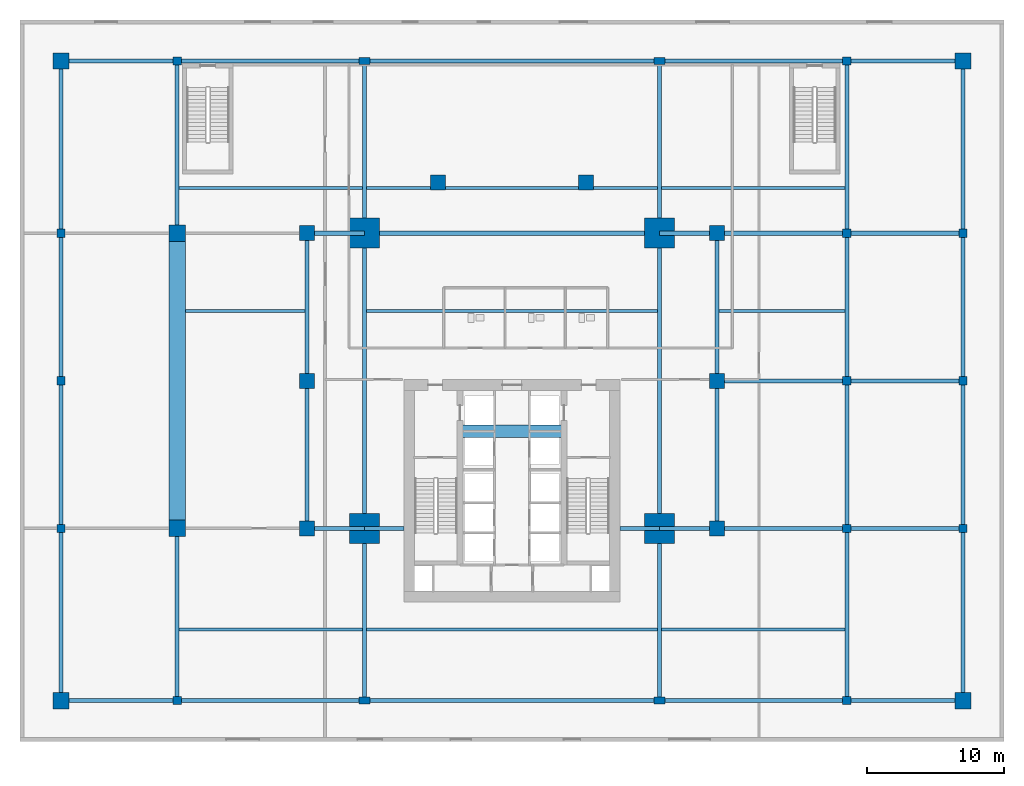
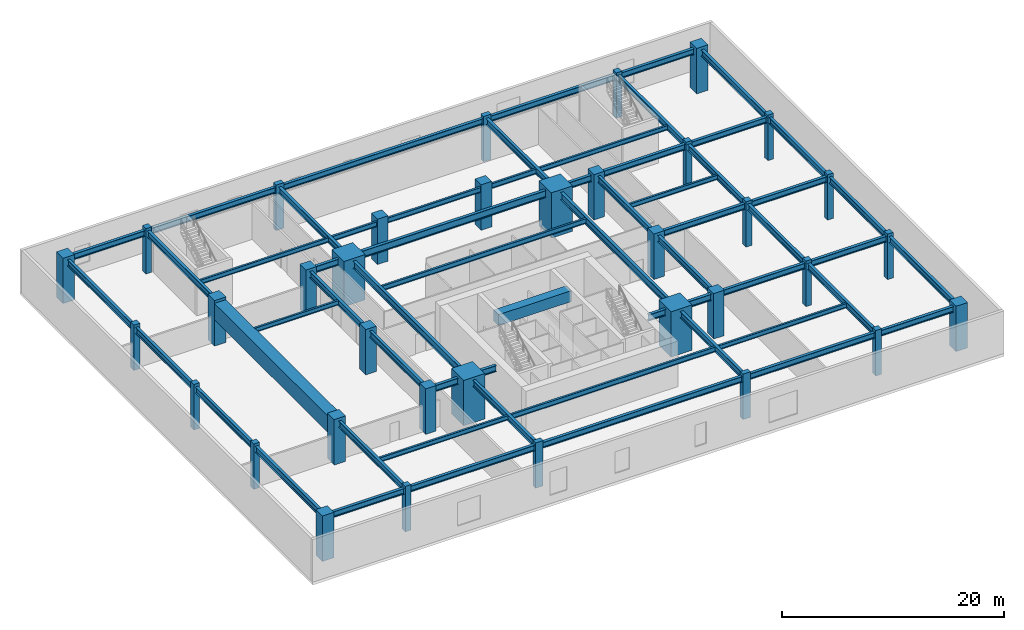
# One storey, part 1 of 10: 58 beams, 35 columns.
"""IFC4 building model written with IfcOpenShell, lengths in metres."""

from ifc_helpers import new_model, si_unit, direction, frame, origin, origin_2d, place, context, subcontext, project, spatial, rectangle, i_section, extrude, source, transform, mapped, material, material_profile, profile_set, type_object, type_shapes, element, save


model = new_model("IFC4")

# Units and contexts
model_context = context("Model", 3, precision=1e-05, world=origin(), true_north=direction((0.0, 1.0)))
body_context = subcontext(model_context, "Body", "Model", "MODEL_VIEW")
ifc_project = project(units=[si_unit("LENGTHUNIT", "METRE"), si_unit("AREAUNIT", "SQUARE_METRE"), si_unit("VOLUMEUNIT", "CUBIC_METRE"), si_unit("PLANEANGLEUNIT", "RADIAN"), si_unit("MASSUNIT", "GRAM", prefix="KILO")], contexts=[model_context])

# Site, building, storey
site_placement = place(None, origin())
site = spatial("IfcSite", under=ifc_project, at=site_placement, CompositionType="ELEMENT")
building_placement = place(site_placement, origin())
building = spatial("IfcBuilding", under=site, at=building_placement, Name="Krantzveldt Concourse Tower", CompositionType="ELEMENT")
storey_placement = place(building_placement, frame((0.0, 0.0, 5.39990234375)))
storey = spatial("IfcBuildingStorey", under=building, at=storey_placement, Name="L01", CompositionType="ELEMENT", Elevation=5.39990234375)

# Columns
ifc_material_1 = material(Name="Concrete C60/75", Category="concrete")
ifc_material_profile_1 = material_profile(ifc_material_1, rectangle(XDim=2.199951171875, YDim=2.199951171875, at=origin_2d()), Name="Concrete C60/75", Category="concrete")
ifc_profile_set_1 = profile_set([ifc_material_profile_1], Name="Concrete C60/75 - RC 2200x2200")
column_type_1 = type_object("IfcColumnType", Name="COL-MC-2200", PredefinedType="USERDEFINED", material=ifc_profile_set_1)
shared_shape_1 = source(origin(), body_context, "Body", "SweptSolid", [
    extrude(rectangle(XDim=2.199951171875, YDim=2.199951171875, at=origin_2d()), origin(), (0.0, 0.0, 1.0), 5.0),
])
type_shapes(column_type_1, [shared_shape_1])
for number, where, z_axis, x_axis, name in (
    (1, (25.199951171875, 15.89990234375, 0.0), (0.0, 0.0, 1.0), (1.0, 0.0, 0.0), "MC-SW-L01"),
    (2, (46.800048828125, 15.89990234375, 0.0), (0.0, 0.0, 1.0), (1.0, 0.0, 0.0), "MC-SE-L01"),
    (3, (46.800048828125, 37.5, 0.0), (0.0, 0.0, 1.0), (1.0, 0.0, 0.0), "MC-NE-L01"),
    (4, (25.199951171875, 37.5, 0.0), (0.0, 0.0, 1.0), (1.0, 0.0, 0.0), "MC-NW-L01"),
):
    element("IfcColumn", number, at=place(storey_placement, frame(where, z_axis=z_axis, x_axis=x_axis)), inside=storey, type_object=column_type_1, Name=name, ObjectType="MEGA COLUMN", PredefinedType="USERDEFINED", context=body_context, shape_type="MappedRepresentation", body=[
        mapped(shared_shape_1, transform((0.0, 0.0, 0.0), x_axis=(1.0, 0.0, 0.0), y_axis=(0.0, 1.0, 0.0), z_axis=(0.0, 0.0, 1.0), scale=1.0)),
    ])
ifc_material_profile_2 = material_profile(ifc_material_1, rectangle(XDim=1.10009765625, YDim=1.10009765625, at=origin_2d()), Name="Concrete C60/75", Category="concrete")
ifc_profile_set_2 = profile_set([ifc_material_profile_2], Name="Concrete C60/75 - RC 1100x1100")
column_type_2 = type_object("IfcColumnType", Name="COL-C-Z1", PredefinedType="COLUMN", material=ifc_profile_set_2)
shared_shape_2 = source(origin(), body_context, "Body", "SweptSolid", [
    extrude(rectangle(XDim=1.10009765625, YDim=1.10009765625, at=origin_2d()), origin(), (0.0, 0.0, 1.0), 5.0),
])
type_shapes(column_type_2, [shared_shape_2])
for number, where, z_axis, x_axis, name in (
    (5, (21.0, 15.89990234375, 0.0), (0.0, 0.0, 1.0), (1.0, 0.0, 0.0), "PC-R01-L01"),
    (6, (21.0, 26.699951171875, 0.0), (0.0, 0.0, 1.0), (1.0, 0.0, 0.0), "PC-R02-L01"),
    (7, (21.0, 37.5, 0.0), (0.0, 0.0, 1.0), (1.0, 0.0, 0.0), "PC-R03-L01"),
    (8, (30.60009765625, 41.199951171875, 0.0), (0.0, 0.0, 1.0), (1.0, 0.0, 0.0), "PC-R04-L01"),
    (9, (41.39990234375, 41.199951171875, 0.0), (0.0, 0.0, 1.0), (1.0, 0.0, 0.0), "PC-R05-L01"),
    (10, (51.0, 37.5, 0.0), (0.0, 0.0, 1.0), (1.0, 0.0, 0.0), "PC-R06-L01"),
    (11, (51.0, 26.699951171875, 0.0), (0.0, 0.0, 1.0), (1.0, 0.0, 0.0), "PC-R07-L01"),
    (12, (51.0, 15.89990234375, 0.0), (0.0, 0.0, 1.0), (1.0, 0.0, 0.0), "PC-R08-L01"),
):
    element("IfcColumn", number, at=place(storey_placement, frame(where, z_axis=z_axis, x_axis=x_axis)), inside=storey, type_object=column_type_2, Name=name, PredefinedType="COLUMN", context=body_context, shape_type="MappedRepresentation", body=[
        mapped(shared_shape_2, transform((0.0, 0.0, 0.0), x_axis=(1.0, 0.0, 0.0), y_axis=(0.0, 1.0, 0.0), z_axis=(0.0, 0.0, 1.0), scale=1.0)),
    ])
ifc_material_2 = material(Name="Concrete C40/50", Category="concrete")
ifc_material_profile_3 = material_profile(ifc_material_2, rectangle(XDim=0.60009765625, YDim=0.60009765625, at=origin_2d()), Name="Concrete C40/50", Category="concrete")
ifc_profile_set_3 = profile_set([ifc_material_profile_3], Name="Concrete C40/50 - RC 600x600")
column_type_3 = type_object("IfcColumnType", Name="COL-C-POD", PredefinedType="COLUMN", material=ifc_profile_set_3)
shared_shape_3 = source(origin(), body_context, "Body", "SweptSolid", [
    extrude(rectangle(XDim=0.60009765625, YDim=0.60009765625, at=origin_2d()), origin(), (0.0, 0.0, 1.0), 5.0),
])
type_shapes(column_type_3, [shared_shape_3])
for number, where, z_axis, x_axis, name in (
    (13, (3.0, 15.89990234375, 0.0), (0.0, 0.0, 1.0), (1.0, 0.0, 0.0), "PC-W1-L01"),
    (14, (3.0, 26.699951171875, 0.0), (0.0, 0.0, 1.0), (1.0, 0.0, 0.0), "PC-W2-L01"),
    (15, (3.0, 37.5, 0.0), (0.0, 0.0, 1.0), (1.0, 0.0, 0.0), "PC-W3-L01"),
    (16, (69.0, 15.89990234375, 0.0), (0.0, 0.0, 1.0), (1.0, 0.0, 0.0), "PC-E1-L01"),
    (17, (69.0, 26.699951171875, 0.0), (0.0, 0.0, 1.0), (1.0, 0.0, 0.0), "PC-E2-L01"),
    (18, (69.0, 37.5, 0.0), (0.0, 0.0, 1.0), (1.0, 0.0, 0.0), "PC-E3-L01"),
    (19, (11.5, 50.10009765625, 0.0), (0.0, 0.0, 1.0), (1.0, 0.0, 0.0), "PC-IW4-L01"),
    (20, (11.5, 3.300048828125, 0.0), (0.0, 0.0, 1.0), (1.0, 0.0, 0.0), "PC-IWS-L01"),
    (21, (60.5, 15.89990234375, 0.0), (0.0, 0.0, 1.0), (1.0, 0.0, 0.0), "PC-IE1-L01"),
    (22, (60.5, 26.699951171875, 0.0), (0.0, 0.0, 1.0), (1.0, 0.0, 0.0), "PC-IE2-L01"),
    (23, (60.5, 37.5, 0.0), (0.0, 0.0, 1.0), (1.0, 0.0, 0.0), "PC-IE3-L01"),
    (24, (60.5, 50.10009765625, 0.0), (0.0, 0.0, 1.0), (1.0, 0.0, 0.0), "PC-IE4-L01"),
    (25, (60.5, 3.300048828125, 0.0), (0.0, 0.0, 1.0), (1.0, 0.0, 0.0), "PC-IES-L01"),
):
    element("IfcColumn", number, at=place(storey_placement, frame(where, z_axis=z_axis, x_axis=x_axis)), inside=storey, type_object=column_type_3, Name=name, PredefinedType="COLUMN", context=body_context, shape_type="MappedRepresentation", body=[
        mapped(shared_shape_3, transform((0.0, 0.0, 0.0), x_axis=(1.0, 0.0, 0.0), y_axis=(0.0, 1.0, 0.0), z_axis=(0.0, 0.0, 1.0), scale=1.0)),
    ])
ifc_material_3 = material(Name="Concrete C50/60", Category="concrete")
ifc_material_profile_4 = material_profile(ifc_material_3, rectangle(XDim=1.199951171875, YDim=1.199951171875, at=origin_2d()), Name="Concrete C50/60", Category="concrete")
ifc_profile_set_4 = profile_set([ifc_material_profile_4], Name="Concrete C50/60 - RC 1200x1200")
column_type_4 = type_object("IfcColumnType", Name="COL-MC-1200", PredefinedType="USERDEFINED", material=ifc_profile_set_4)
shared_shape_4 = source(origin(), body_context, "Body", "SweptSolid", [
    extrude(rectangle(XDim=1.199951171875, YDim=1.199951171875, at=origin_2d()), origin(), (0.0, 0.0, 1.0), 5.0),
])
type_shapes(column_type_4, [shared_shape_4])
for number, where, z_axis, x_axis, name in (
    (26, (3.0, 3.300048828125, 0.0), (0.0, 0.0, 1.0), (1.0, 0.0, 0.0), "PC-SW-L01"),
    (27, (69.0, 3.300048828125, 0.0), (0.0, 0.0, 1.0), (1.0, 0.0, 0.0), "PC-SE-L01"),
    (28, (69.0, 50.10009765625, 0.0), (0.0, 0.0, 1.0), (1.0, 0.0, 0.0), "PC-NE-L01"),
    (29, (3.0, 50.10009765625, 0.0), (0.0, 0.0, 1.0), (1.0, 0.0, 0.0), "PC-NW-L01"),
    (30, (11.5, 15.89990234375, 0.0), (0.0, 0.0, 1.0), (1.0, 0.0, 0.0), "PC-IW1-L01"),
    (31, (11.5, 37.5, 0.0), (0.0, 0.0, 1.0), (1.0, 0.0, 0.0), "PC-IW3-L01"),
):
    element("IfcColumn", number, at=place(storey_placement, frame(where, z_axis=z_axis, x_axis=x_axis)), inside=storey, type_object=column_type_4, Name=name, ObjectType="MEGA COLUMN", PredefinedType="USERDEFINED", context=body_context, shape_type="MappedRepresentation", body=[
        mapped(shared_shape_4, transform((0.0, 0.0, 0.0), x_axis=(1.0, 0.0, 0.0), y_axis=(0.0, 1.0, 0.0), z_axis=(0.0, 0.0, 1.0), scale=1.0)),
    ])
ifc_material_profile_5 = material_profile(ifc_material_3, rectangle(XDim=0.800048828125, YDim=0.5, at=origin_2d()), Name="Concrete C50/60", Category="concrete")
ifc_profile_set_5 = profile_set([ifc_material_profile_5], Name="Concrete C50/60 - RC-PIL 800x500")
column_type_5 = type_object("IfcColumnType", Name="COL-PIL-800", PredefinedType="PILASTER", material=ifc_profile_set_5)
shared_shape_5 = source(origin(), body_context, "Body", "SweptSolid", [
    extrude(rectangle(XDim=0.800048828125, YDim=0.5, at=origin_2d()), origin(), (0.0, 0.0, 1.0), 5.0),
])
type_shapes(column_type_5, [shared_shape_5])
for number, where, z_axis, x_axis, name in (
    (32, (25.199951171875, 3.300048828125, 0.0), (0.0, 0.0, 1.0), (1.0, 0.0, 0.0), "PC-PIL1-L01"),
    (33, (46.800048828125, 3.300048828125, 0.0), (0.0, 0.0, 1.0), (1.0, 0.0, 0.0), "PC-PIL2-L01"),
    (34, (25.199951171875, 50.10009765625, 0.0), (0.0, 0.0, 1.0), (1.0, 0.0, 0.0), "PC-PIL3-L01"),
    (35, (46.800048828125, 50.10009765625, 0.0), (0.0, 0.0, 1.0), (1.0, 0.0, 0.0), "PC-PIL4-L01"),
):
    element("IfcColumn", number, at=place(storey_placement, frame(where, z_axis=z_axis, x_axis=x_axis)), inside=storey, type_object=column_type_5, Name=name, PredefinedType="PILASTER", context=body_context, shape_type="MappedRepresentation", body=[
        mapped(shared_shape_5, transform((0.0, 0.0, 0.0), x_axis=(1.0, 0.0, 0.0), y_axis=(0.0, 1.0, 0.0), z_axis=(0.0, 0.0, 1.0), scale=1.0)),
    ])

# Beams
ifc_material_profile_6 = material_profile(ifc_material_3, rectangle(XDim=0.89990234375, YDim=1.199951171875, at=origin_2d()), Name="Concrete C50/60", Category="concrete")
ifc_profile_set_6 = profile_set([ifc_material_profile_6], Name="Concrete C50/60 - RC-CB 900x1200")
beam_type_1 = type_object("IfcBeamType", Name="BM-CB-1200", PredefinedType="LINTEL", material=ifc_profile_set_6)
shared_shape_6 = source(origin(), body_context, "Body", "SweptSolid", [
    extrude(rectangle(XDim=0.89990234375, YDim=1.199951171875, at=origin_2d()), origin(), (0.0, 0.0, 1.0), 7.580078125),
])
type_shapes(beam_type_1, [shared_shape_6])
beam_1_placement = place(storey_placement, frame((32.2099609375, 23.0, 4.10009765625), z_axis=(1.0, 0.0, 0.0), x_axis=(0.0, 1.0, 0.0)))
element("IfcBeam", 36, at=beam_1_placement, inside=storey, type_object=beam_type_1, Name="CB-L01-01", PredefinedType="LINTEL", context=body_context, shape_type="MappedRepresentation", body=[
    mapped(shared_shape_6, transform((0.0, 0.0, 0.0), x_axis=(1.0, 0.0, 0.0), y_axis=(0.0, 1.0, 0.0), z_axis=(0.0, 0.0, 1.0), scale=1.0)),
])
ifc_material_4 = material(Name="Steel S355J2", Category="steel")
ifc_material_profile_7 = material_profile(ifc_material_4, i_section(OverallWidth=0.300048828125, OverallDepth=0.800048828125, WebThickness=0.017578125, FlangeThickness=0.032958984375, FilletRadius=0.030029296875, at=origin_2d()), Name="Steel S355J2", Category="steel")
ifc_profile_set_7 = profile_set([ifc_material_profile_7], Name="Steel S355J2 - HEB 800")
beam_type_2 = type_object("IfcBeamType", Name="BM-B-HEB800", PredefinedType="BEAM", material=ifc_profile_set_7)
shared_shape_7 = source(origin(), body_context, "Body", "SweptSolid", [
    extrude(i_section(OverallWidth=0.300048828125, OverallDepth=0.800048828125, WebThickness=0.017578125, FlangeThickness=0.032958984375, FilletRadius=0.030029296875, at=origin_2d()), origin(), (0.0, 0.0, 1.0), 21.60009765625),
])
type_shapes(beam_type_2, [shared_shape_7])
for number, where, z_axis, x_axis, name in (
    (37, (25.199951171875, 37.5, 4.300048828125), (1.0, 0.0, 0.0), (0.0, 1.0, 0.0), "L01 Podium Primary Girder BG-MN"),
    (38, (25.199951171875, 15.89990234375, 4.300048828125), (0.0, 1.0, 0.0), (-1.0, 0.0, 0.0), "L01 Podium Primary Girder BG-MW"),
    (39, (46.800048828125, 15.89990234375, 4.300048828125), (0.0, 1.0, 0.0), (-1.0, 0.0, 0.0), "L01 Podium Primary Girder BG-ME"),
):
    element("IfcBeam", number, at=place(storey_placement, frame(where, z_axis=z_axis, x_axis=x_axis)), inside=storey, type_object=beam_type_2, Name=name, PredefinedType="BEAM", context=body_context, shape_type="MappedRepresentation", body=[
        mapped(shared_shape_7, transform((0.0, 0.0, 0.0), x_axis=(1.0, 0.0, 0.0), y_axis=(0.0, 1.0, 0.0), z_axis=(0.0, 0.0, 1.0), scale=1.0)),
    ])
ifc_material_5 = material(Name="Steel S355JR", Category="steel")
ifc_material_profile_8 = material_profile(ifc_material_5, i_section(OverallWidth=0.300048828125, OverallDepth=0.68994140625, WebThickness=0.014404296875, FlangeThickness=0.027099609375, FilletRadius=0.027099609375, at=origin_2d()), Name="Steel S355JR", Category="steel")
ifc_profile_set_8 = profile_set([ifc_material_profile_8], Name="Steel S355JR - HEA 700")
beam_type_3 = type_object("IfcBeamType", Name="BM-B-HEA700", PredefinedType="BEAM", material=ifc_profile_set_8)
shared_shape_8 = source(origin(), body_context, "Body", "SweptSolid", [
    extrude(i_section(OverallWidth=0.300048828125, OverallDepth=0.68994140625, WebThickness=0.014404296875, FlangeThickness=0.027099609375, FilletRadius=0.027099609375, at=origin_2d()), origin(), (0.0, 0.0, 1.0), 10.800048828125),
])
for number, where, z_axis, x_axis, name in (
    (40, (21.0, 15.89990234375, 4.35498046875), (0.0, 1.0, 0.0), (-1.0, 0.0, 0.0), "L01 Podium Primary Girder BG-RW1"),
    (41, (21.0, 26.699951171875, 4.35498046875), (0.0, 1.0, 0.0), (-1.0, 0.0, 0.0), "L01 Podium Primary Girder BG-RW2"),
    (42, (51.0, 15.89990234375, 4.35498046875), (0.0, 1.0, 0.0), (-1.0, 0.0, 0.0), "L01 Podium Primary Girder BG-RE1"),
    (43, (51.0, 26.699951171875, 4.35498046875), (0.0, 1.0, 0.0), (-1.0, 0.0, 0.0), "L01 Podium Primary Girder BG-RE2"),
    (44, (60.5, 15.89990234375, 4.35498046875), (0.0, 1.0, 0.0), (-1.0, 0.0, 0.0), "L01 Podium Primary Girder BG-IE-2"),
    (45, (60.5, 26.699951171875, 4.35498046875), (0.0, 1.0, 0.0), (-1.0, 0.0, 0.0), "L01 Podium Primary Girder BG-IE-3"),
    (46, (3.0, 15.89990234375, 4.35498046875), (0.0, 1.0, 0.0), (-1.0, 0.0, 0.0), "L01 Podium Primary Girder BG-OW2"),
    (47, (3.0, 26.699951171875, 4.35498046875), (0.0, 1.0, 0.0), (-1.0, 0.0, 0.0), "L01 Podium Primary Girder BG-OW3"),
    (48, (69.0, 15.89990234375, 4.35498046875), (0.0, 1.0, 0.0), (-1.0, 0.0, 0.0), "L01 Podium Primary Girder BG-OE2"),
    (49, (69.0, 26.699951171875, 4.35498046875), (0.0, 1.0, 0.0), (-1.0, 0.0, 0.0), "L01 Podium Primary Girder BG-OE3"),
):
    element("IfcBeam", number, at=place(storey_placement, frame(where, z_axis=z_axis, x_axis=x_axis)), inside=storey, type_object=beam_type_3, Name=name, PredefinedType="BEAM", context=body_context, shape_type="MappedRepresentation", body=[
        mapped(shared_shape_8, transform((0.0, 0.0, 0.0), x_axis=(1.0, 0.0, 0.0), y_axis=(0.0, 1.0, 0.0), z_axis=(0.0, 0.0, 1.0), scale=1.0)),
    ])
ifc_material_profile_9 = material_profile(ifc_material_4, i_section(OverallWidth=0.300048828125, OverallDepth=0.699951171875, WebThickness=0.01708984375, FlangeThickness=0.031982421875, FilletRadius=0.027099609375, at=origin_2d()), Name="Steel S355J2", Category="steel")
ifc_profile_set_9 = profile_set([ifc_material_profile_9], Name="Steel S355J2 - HEB 700")
beam_type_4 = type_object("IfcBeamType", Name="BM-B-HEB700", PredefinedType="BEAM", material=ifc_profile_set_9)
shared_shape_9 = source(origin(), body_context, "Body", "SweptSolid", [
    extrude(i_section(OverallWidth=0.300048828125, OverallDepth=0.699951171875, WebThickness=0.01708984375, FlangeThickness=0.031982421875, FilletRadius=0.027099609375, at=origin_2d()), origin(), (0.0, 0.0, 1.0), 4.199951171875),
])
for number, where, z_axis, x_axis, name in (
    (50, (21.0, 15.89990234375, 4.35009765625), (1.0, 0.0, 0.0), (0.0, 1.0, 0.0), "L01 Podium Primary Girder BG-RL1"),
    (51, (21.0, 37.5, 4.35009765625), (1.0, 0.0, 0.0), (0.0, 1.0, 0.0), "L01 Podium Primary Girder BG-RL3"),
    (52, (46.800048828125, 15.89990234375, 4.35009765625), (1.0, 0.0, 0.0), (0.0, 1.0, 0.0), "L01 Podium Primary Girder BG-RR1"),
    (53, (46.800048828125, 37.5, 4.35009765625), (1.0, 0.0, 0.0), (0.0, 1.0, 0.0), "L01 Podium Primary Girder BG-RR3"),
):
    element("IfcBeam", number, at=place(storey_placement, frame(where, z_axis=z_axis, x_axis=x_axis)), inside=storey, type_object=beam_type_4, Name=name, PredefinedType="BEAM", context=body_context, shape_type="MappedRepresentation", body=[
        mapped(shared_shape_9, transform((0.0, 0.0, 0.0), x_axis=(1.0, 0.0, 0.0), y_axis=(0.0, 1.0, 0.0), z_axis=(0.0, 0.0, 1.0), scale=1.0)),
    ])
shared_shape_10 = source(origin(), body_context, "Body", "SweptSolid", [
    extrude(i_section(OverallWidth=0.300048828125, OverallDepth=0.699951171875, WebThickness=0.01708984375, FlangeThickness=0.031982421875, FilletRadius=0.027099609375, at=origin_2d()), origin(), (0.0, 0.0, 1.0), 2.880126953125),
])
type_shapes(beam_type_4, [shared_shape_9, shared_shape_10])
for number, where, z_axis, x_axis, name in (
    (54, (25.199951171875, 15.89990234375, 4.35009765625), (1.0, 0.0, 0.0), (0.0, 1.0, 0.0), "L01 Podium Primary Girder BG-CW"),
    (55, (43.919921875, 15.89990234375, 4.35009765625), (1.0, 0.0, 0.0), (0.0, 1.0, 0.0), "L01 Podium Primary Girder BG-CE"),
):
    element("IfcBeam", number, at=place(storey_placement, frame(where, z_axis=z_axis, x_axis=x_axis)), inside=storey, type_object=beam_type_4, Name=name, PredefinedType="BEAM", context=body_context, shape_type="MappedRepresentation", body=[
        mapped(shared_shape_10, transform((0.0, 0.0, 0.0), x_axis=(1.0, 0.0, 0.0), y_axis=(0.0, 1.0, 0.0), z_axis=(0.0, 0.0, 1.0), scale=1.0)),
    ])
shared_shape_11 = source(origin(), body_context, "Body", "SweptSolid", [
    extrude(i_section(OverallWidth=0.300048828125, OverallDepth=0.68994140625, WebThickness=0.014404296875, FlangeThickness=0.027099609375, FilletRadius=0.027099609375, at=origin_2d()), origin(), (0.0, 0.0, 1.0), 12.60009765625),
])
for number, where, z_axis, x_axis, name in (
    (56, (25.199951171875, 37.5, 4.35498046875), (0.0, 1.0, 0.0), (-1.0, 0.0, 0.0), "L01 Podium Primary Girder BG-PN1"),
    (57, (46.800048828125, 37.5, 4.35498046875), (0.0, 1.0, 0.0), (-1.0, 0.0, 0.0), "L01 Podium Primary Girder BG-PN2"),
    (58, (11.5, 37.5, 4.35498046875), (0.0, 1.0, 0.0), (-1.0, 0.0, 0.0), "L01 Podium Primary Girder BG-IW-3"),
    (59, (60.5, 37.5, 4.35498046875), (0.0, 1.0, 0.0), (-1.0, 0.0, 0.0), "L01 Podium Primary Girder BG-IE-4"),
    (60, (3.0, 37.5, 4.35498046875), (0.0, 1.0, 0.0), (-1.0, 0.0, 0.0), "L01 Podium Primary Girder BG-OW4"),
    (61, (69.0, 37.5, 4.35498046875), (0.0, 1.0, 0.0), (-1.0, 0.0, 0.0), "L01 Podium Primary Girder BG-OE4"),
):
    element("IfcBeam", number, at=place(storey_placement, frame(where, z_axis=z_axis, x_axis=x_axis)), inside=storey, type_object=beam_type_3, Name=name, PredefinedType="BEAM", context=body_context, shape_type="MappedRepresentation", body=[
        mapped(shared_shape_11, transform((0.0, 0.0, 0.0), x_axis=(1.0, 0.0, 0.0), y_axis=(0.0, 1.0, 0.0), z_axis=(0.0, 0.0, 1.0), scale=1.0)),
    ])
shared_shape_12 = source(origin(), body_context, "Body", "SweptSolid", [
    extrude(i_section(OverallWidth=0.300048828125, OverallDepth=0.68994140625, WebThickness=0.014404296875, FlangeThickness=0.027099609375, FilletRadius=0.027099609375, at=origin_2d()), origin(), (0.0, 0.0, 1.0), 12.599853515625),
])
type_shapes(beam_type_3, [shared_shape_8, shared_shape_11, shared_shape_12])
for number, where, z_axis, x_axis, name in (
    (62, (25.199951171875, 3.300048828125, 4.35498046875), (0.0, 1.0, 0.0), (-1.0, 0.0, 0.0), "L01 Podium Primary Girder BG-PS1"),
    (63, (46.800048828125, 3.300048828125, 4.35498046875), (0.0, 1.0, 0.0), (-1.0, 0.0, 0.0), "L01 Podium Primary Girder BG-PS2"),
    (64, (11.5, 3.300048828125, 4.35498046875), (0.0, 1.0, 0.0), (-1.0, 0.0, 0.0), "L01 Podium Primary Girder BG-IW-1"),
    (65, (60.5, 3.300048828125, 4.35498046875), (0.0, 1.0, 0.0), (-1.0, 0.0, 0.0), "L01 Podium Primary Girder BG-IE-1"),
    (66, (3.0, 3.300048828125, 4.35498046875), (0.0, 1.0, 0.0), (-1.0, 0.0, 0.0), "L01 Podium Primary Girder BG-OW1"),
    (67, (69.0, 3.300048828125, 4.35498046875), (0.0, 1.0, 0.0), (-1.0, 0.0, 0.0), "L01 Podium Primary Girder BG-OE1"),
):
    element("IfcBeam", number, at=place(storey_placement, frame(where, z_axis=z_axis, x_axis=x_axis)), inside=storey, type_object=beam_type_3, Name=name, PredefinedType="BEAM", context=body_context, shape_type="MappedRepresentation", body=[
        mapped(shared_shape_12, transform((0.0, 0.0, 0.0), x_axis=(1.0, 0.0, 0.0), y_axis=(0.0, 1.0, 0.0), z_axis=(0.0, 0.0, 1.0), scale=1.0)),
    ])
ifc_material_profile_10 = material_profile(ifc_material_5, i_section(OverallWidth=0.300048828125, OverallDepth=0.639892578125, WebThickness=0.013427734375, FlangeThickness=0.02587890625, FilletRadius=0.027099609375, at=origin_2d()), Name="Steel S355JR", Category="steel")
ifc_profile_set_10 = profile_set([ifc_material_profile_10], Name="Steel S355JR - HEA 650")
beam_type_5 = type_object("IfcBeamType", Name="BM-B-HEA650", PredefinedType="BEAM", material=ifc_profile_set_10)
shared_shape_13 = source(origin(), body_context, "Body", "SweptSolid", [
    extrude(i_section(OverallWidth=0.300048828125, OverallDepth=0.639892578125, WebThickness=0.013427734375, FlangeThickness=0.02587890625, FilletRadius=0.027099609375, at=origin_2d()), origin(), (0.0, 0.0, 1.0), 13.699951171875),
])
for number, where, z_axis, x_axis, name in (
    (68, (11.5, 3.300048828125, 4.380126953125), (1.0, 0.0, 0.0), (0.0, 1.0, 0.0), "L01 Podium Primary Girder BG-SN1"),
    (69, (46.800048828125, 3.300048828125, 4.380126953125), (1.0, 0.0, 0.0), (0.0, 1.0, 0.0), "L01 Podium Primary Girder BG-SN3"),
    (70, (11.5, 50.10009765625, 4.380126953125), (1.0, 0.0, 0.0), (0.0, 1.0, 0.0), "L01 Podium Primary Girder BG-NN1"),
    (71, (46.800048828125, 50.10009765625, 4.380126953125), (1.0, 0.0, 0.0), (0.0, 1.0, 0.0), "L01 Podium Primary Girder BG-NN3"),
):
    element("IfcBeam", number, at=place(storey_placement, frame(where, z_axis=z_axis, x_axis=x_axis)), inside=storey, type_object=beam_type_5, Name=name, PredefinedType="BEAM", context=body_context, shape_type="MappedRepresentation", body=[
        mapped(shared_shape_13, transform((0.0, 0.0, 0.0), x_axis=(1.0, 0.0, 0.0), y_axis=(0.0, 1.0, 0.0), z_axis=(0.0, 0.0, 1.0), scale=1.0)),
    ])
shared_shape_14 = source(origin(), body_context, "Body", "SweptSolid", [
    extrude(i_section(OverallWidth=0.300048828125, OverallDepth=0.639892578125, WebThickness=0.013427734375, FlangeThickness=0.02587890625, FilletRadius=0.027099609375, at=origin_2d()), origin(), (0.0, 0.0, 1.0), 21.60009765625),
])
for number, where, z_axis, x_axis, name in (
    (72, (25.199951171875, 3.300048828125, 4.380126953125), (1.0, 0.0, 0.0), (0.0, 1.0, 0.0), "L01 Podium Primary Girder BG-SN2"),
    (73, (25.199951171875, 50.10009765625, 4.380126953125), (1.0, 0.0, 0.0), (0.0, 1.0, 0.0), "L01 Podium Primary Girder BG-NN2"),
):
    element("IfcBeam", number, at=place(storey_placement, frame(where, z_axis=z_axis, x_axis=x_axis)), inside=storey, type_object=beam_type_5, Name=name, PredefinedType="BEAM", context=body_context, shape_type="MappedRepresentation", body=[
        mapped(shared_shape_14, transform((0.0, 0.0, 0.0), x_axis=(1.0, 0.0, 0.0), y_axis=(0.0, 1.0, 0.0), z_axis=(0.0, 0.0, 1.0), scale=1.0)),
    ])
ifc_material_profile_11 = material_profile(ifc_material_1, rectangle(XDim=1.199951171875, YDim=1.800048828125, at=origin_2d()), Name="Concrete C60/75", Category="concrete")
ifc_profile_set_11 = profile_set([ifc_material_profile_11], Name="Concrete C60/75 - RC-TB 1200x1800")
beam_type_6 = type_object("IfcBeamType", Name="BM-RCTB-1800", PredefinedType="USERDEFINED", material=ifc_profile_set_11)
shared_shape_15 = source(origin(), body_context, "Body", "SweptSolid", [
    extrude(rectangle(XDim=1.199951171875, YDim=1.800048828125, at=origin_2d()), origin(), (0.0, 0.0, 1.0), 21.60009765625),
])
type_shapes(beam_type_6, [shared_shape_15])
beam_2_placement = place(storey_placement, frame((11.5, 15.89990234375, 3.800048828125), z_axis=(0.0, 1.0, 0.0), x_axis=(-1.0, 0.0, 0.0)))
element("IfcBeam", 74, at=beam_2_placement, inside=storey, type_object=beam_type_6, Name="L01 Podium Primary Girder BG-IW-2", ObjectType="TRANSFER GIRDER", PredefinedType="USERDEFINED", context=body_context, shape_type="MappedRepresentation", body=[
    mapped(shared_shape_15, transform((0.0, 0.0, 0.0), x_axis=(1.0, 0.0, 0.0), y_axis=(0.0, 1.0, 0.0), z_axis=(0.0, 0.0, 1.0), scale=1.0)),
])
shared_shape_16 = source(origin(), body_context, "Body", "SweptSolid", [
    extrude(i_section(OverallWidth=0.300048828125, OverallDepth=0.639892578125, WebThickness=0.013427734375, FlangeThickness=0.02587890625, FilletRadius=0.027099609375, at=origin_2d()), origin(), (0.0, 0.0, 1.0), 9.5),
])
for number, where, z_axis, x_axis, name in (
    (75, (51.0, 15.89990234375, 4.380126953125), (1.0, 0.0, 0.0), (0.0, 1.0, 0.0), "L01 Podium Primary Girder BG-ME1"),
    (76, (51.0, 26.699951171875, 4.380126953125), (1.0, 0.0, 0.0), (0.0, 1.0, 0.0), "L01 Podium Primary Girder BG-ME2"),
    (77, (51.0, 37.5, 4.380126953125), (1.0, 0.0, 0.0), (0.0, 1.0, 0.0), "L01 Podium Primary Girder BG-ME3"),
):
    element("IfcBeam", number, at=place(storey_placement, frame(where, z_axis=z_axis, x_axis=x_axis)), inside=storey, type_object=beam_type_5, Name=name, PredefinedType="BEAM", context=body_context, shape_type="MappedRepresentation", body=[
        mapped(shared_shape_16, transform((0.0, 0.0, 0.0), x_axis=(1.0, 0.0, 0.0), y_axis=(0.0, 1.0, 0.0), z_axis=(0.0, 0.0, 1.0), scale=1.0)),
    ])
shared_shape_17 = source(origin(), body_context, "Body", "SweptSolid", [
    extrude(i_section(OverallWidth=0.300048828125, OverallDepth=0.639892578125, WebThickness=0.013427734375, FlangeThickness=0.02587890625, FilletRadius=0.027099609375, at=origin_2d()), origin(), (0.0, 0.0, 1.0), 8.5),
])
type_shapes(beam_type_5, [shared_shape_13, shared_shape_14, shared_shape_16, shared_shape_17])
for number, where, z_axis, x_axis, name in (
    (78, (3.0, 3.300048828125, 4.380126953125), (1.0, 0.0, 0.0), (0.0, 1.0, 0.0), "L01 Podium Primary Girder BG-OWS"),
    (79, (3.0, 50.10009765625, 4.380126953125), (1.0, 0.0, 0.0), (0.0, 1.0, 0.0), "L01 Podium Primary Girder BG-OWN"),
    (80, (60.5, 3.300048828125, 4.380126953125), (1.0, 0.0, 0.0), (0.0, 1.0, 0.0), "L01 Podium Primary Girder BG-OES"),
    (81, (60.5, 50.10009765625, 4.380126953125), (1.0, 0.0, 0.0), (0.0, 1.0, 0.0), "L01 Podium Primary Girder BG-OEN"),
    (82, (60.5, 15.89990234375, 4.380126953125), (1.0, 0.0, 0.0), (0.0, 1.0, 0.0), "L01 Podium Primary Girder BG-EE1"),
    (83, (60.5, 26.699951171875, 4.380126953125), (1.0, 0.0, 0.0), (0.0, 1.0, 0.0), "L01 Podium Primary Girder BG-EE2"),
    (84, (60.5, 37.5, 4.380126953125), (1.0, 0.0, 0.0), (0.0, 1.0, 0.0), "L01 Podium Primary Girder BG-EE3"),
):
    element("IfcBeam", number, at=place(storey_placement, frame(where, z_axis=z_axis, x_axis=x_axis)), inside=storey, type_object=beam_type_5, Name=name, PredefinedType="BEAM", context=body_context, shape_type="MappedRepresentation", body=[
        mapped(shared_shape_17, transform((0.0, 0.0, 0.0), x_axis=(1.0, 0.0, 0.0), y_axis=(0.0, 1.0, 0.0), z_axis=(0.0, 0.0, 1.0), scale=1.0)),
    ])
ifc_material_profile_12 = material_profile(ifc_material_5, i_section(OverallWidth=0.2099609375, OverallDepth=0.550048828125, WebThickness=0.010986328125, FlangeThickness=0.01708984375, FilletRadius=0.02392578125, at=origin_2d()), Name="Steel S355JR", Category="steel")
ifc_profile_set_12 = profile_set([ifc_material_profile_12], Name="Steel S355JR - IPE 550")
beam_type_7 = type_object("IfcBeamType", Name="BM-J-IPE550", PredefinedType="JOIST", material=ifc_profile_set_12)
shared_shape_18 = source(origin(), body_context, "Body", "SweptSolid", [
    extrude(i_section(OverallWidth=0.2099609375, OverallDepth=0.550048828125, WebThickness=0.010986328125, FlangeThickness=0.01708984375, FilletRadius=0.02392578125, at=origin_2d()), origin(), (0.0, 0.0, 1.0), 21.2998046875),
])
type_shapes(beam_type_7, [shared_shape_18])
for number, where, z_axis, x_axis, name in (
    (85, (25.35009765625, 8.5, 4.425048828125), (1.0, 0.0, 0.0), (0.0, 1.0, 0.0), "L01 Central Floor Joist 1"),
    (86, (25.35009765625, 31.800048828125, 4.425048828125), (1.0, 0.0, 0.0), (0.0, 1.0, 0.0), "L01 Central Floor Joist 2"),
    (87, (25.35009765625, 40.800048828125, 4.425048828125), (1.0, 0.0, 0.0), (0.0, 1.0, 0.0), "L01 Central Floor Joist 3"),
):
    element("IfcBeam", number, at=place(storey_placement, frame(where, z_axis=z_axis, x_axis=x_axis)), inside=storey, type_object=beam_type_7, Name=name, PredefinedType="JOIST", context=body_context, shape_type="MappedRepresentation", body=[
        mapped(shared_shape_18, transform((0.0, 0.0, 0.0), x_axis=(1.0, 0.0, 0.0), y_axis=(0.0, 1.0, 0.0), z_axis=(0.0, 0.0, 1.0), scale=1.0)),
    ])
ifc_material_profile_13 = material_profile(ifc_material_5, i_section(OverallWidth=0.199951171875, OverallDepth=0.5, WebThickness=0.01025390625, FlangeThickness=0.01611328125, FilletRadius=0.02099609375, at=origin_2d()), Name="Steel S355JR", Category="steel")
ifc_profile_set_13 = profile_set([ifc_material_profile_13], Name="Steel S355JR - IPE 500")
beam_type_8 = type_object("IfcBeamType", Name="BM-J-IPE500", PredefinedType="JOIST", material=ifc_profile_set_13)
shared_shape_19 = source(origin(), body_context, "Body", "SweptSolid", [
    extrude(i_section(OverallWidth=0.199951171875, OverallDepth=0.5, WebThickness=0.01025390625, FlangeThickness=0.01611328125, FilletRadius=0.02099609375, at=origin_2d()), origin(), (0.0, 0.0, 1.0), 13.400146484375),
])
for number, where, z_axis, x_axis, name in (
    (88, (11.64990234375, 8.5, 4.4501953125), (1.0, 0.0, 0.0), (0.0, 1.0, 0.0), "L01 West Inner Joist 1"),
    (89, (46.949951171875, 8.5, 4.4501953125), (1.0, 0.0, 0.0), (0.0, 1.0, 0.0), "L01 East Inner Joist 1"),
    (90, (11.64990234375, 40.800048828125, 4.4501953125), (1.0, 0.0, 0.0), (0.0, 1.0, 0.0), "L01 West Inner Joist 3"),
    (91, (46.949951171875, 40.800048828125, 4.4501953125), (1.0, 0.0, 0.0), (0.0, 1.0, 0.0), "L01 East Inner Joist 3"),
):
    element("IfcBeam", number, at=place(storey_placement, frame(where, z_axis=z_axis, x_axis=x_axis)), inside=storey, type_object=beam_type_8, Name=name, PredefinedType="JOIST", context=body_context, shape_type="MappedRepresentation", body=[
        mapped(shared_shape_19, transform((0.0, 0.0, 0.0), x_axis=(1.0, 0.0, 0.0), y_axis=(0.0, 1.0, 0.0), z_axis=(0.0, 0.0, 1.0), scale=1.0)),
    ])
shared_shape_20 = source(origin(), body_context, "Body", "SweptSolid", [
    extrude(i_section(OverallWidth=0.199951171875, OverallDepth=0.5, WebThickness=0.01025390625, FlangeThickness=0.01611328125, FilletRadius=0.02099609375, at=origin_2d()), origin(), (0.0, 0.0, 1.0), 8.75),
])
beam_3_placement = place(storey_placement, frame((12.10009765625, 31.800048828125, 4.4501953125), z_axis=(1.0, 0.0, 0.0), x_axis=(0.0, 1.0, 0.0)))
element("IfcBeam", 92, at=beam_3_placement, inside=storey, type_object=beam_type_8, Name="L01 West Inner Joist 2", PredefinedType="JOIST", context=body_context, shape_type="MappedRepresentation", body=[
    mapped(shared_shape_20, transform((0.0, 0.0, 0.0), x_axis=(1.0, 0.0, 0.0), y_axis=(0.0, 1.0, 0.0), z_axis=(0.0, 0.0, 1.0), scale=1.0)),
])
shared_shape_21 = source(origin(), body_context, "Body", "SweptSolid", [
    extrude(i_section(OverallWidth=0.199951171875, OverallDepth=0.5, WebThickness=0.01025390625, FlangeThickness=0.01611328125, FilletRadius=0.02099609375, at=origin_2d()), origin(), (0.0, 0.0, 1.0), 9.2001953125),
])
type_shapes(beam_type_8, [shared_shape_19, shared_shape_20, shared_shape_21])
beam_4_placement = place(storey_placement, frame((51.14990234375, 31.800048828125, 4.4501953125), z_axis=(1.0, 0.0, 0.0), x_axis=(0.0, 1.0, 0.0)))
element("IfcBeam", 93, at=beam_4_placement, inside=storey, type_object=beam_type_8, Name="L01 East Inner Joist 2", PredefinedType="JOIST", context=body_context, shape_type="MappedRepresentation", body=[
    mapped(shared_shape_21, transform((0.0, 0.0, 0.0), x_axis=(1.0, 0.0, 0.0), y_axis=(0.0, 1.0, 0.0), z_axis=(0.0, 0.0, 1.0), scale=1.0)),
])

save(model, "model.ifc")
